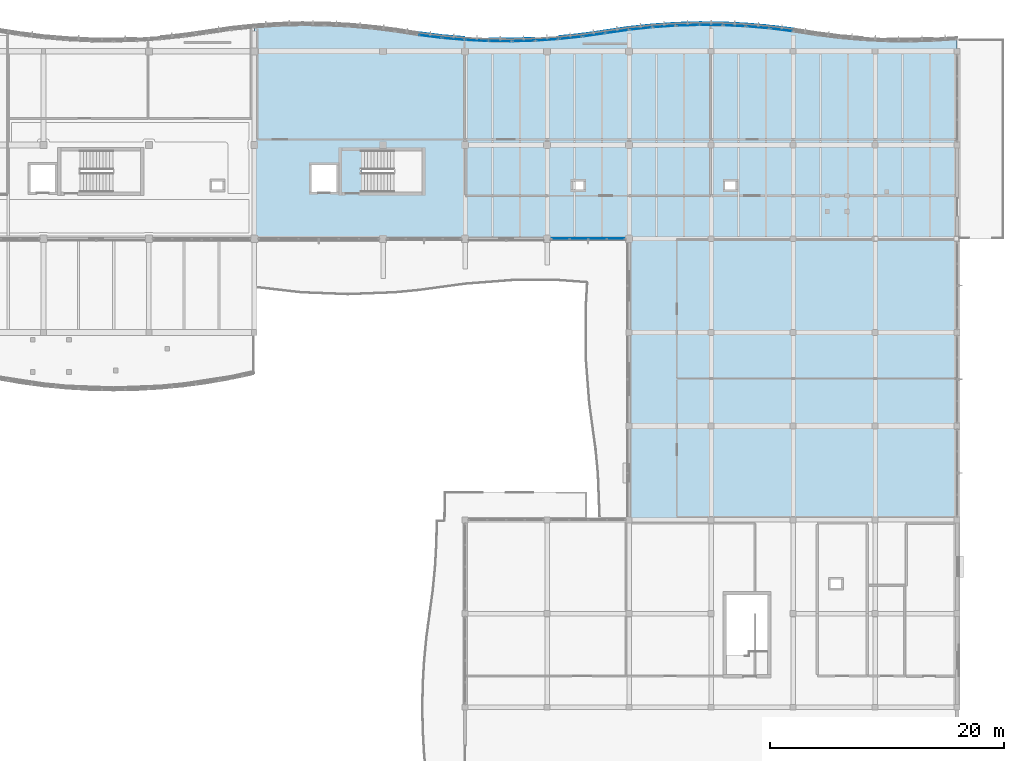
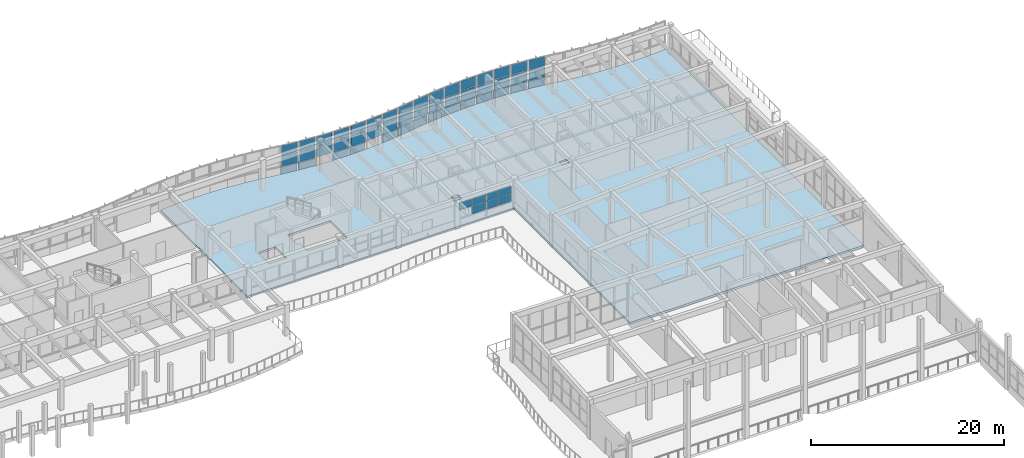
# One storey, part 54 of 89: 53 plates, 1 slab, 17 elements without a shape of their own.
"""IFC4 building model written with IfcOpenShell, lengths in metres."""

import ifcopenshell
import ifcopenshell.guid

model = None  # the IFC model being written
_history = None  # IfcOwnerHistory: only IFC2X3 demands one
_inside = {}  # id of a spatial element -> (the spatial element, [elements in it])
_under = {}  # id of a project, library or spatial element -> (it, [spatial elements below it])
_declared = {}  # id of a project -> (the project, [libraries it declares])
_typed = {}  # id of a type object -> (the type object, [elements of that type])
_made_of = {}  # id of a material, layer set ... -> (it, [elements and type objects made of it])


def new_model(schema):
    """Start an empty IFC model of exactly this schema.

    Asked for "IFC4X3", IfcOpenShell would pick the latest addendum, in which some entities
    have other attributes; the version numbers below select the first issue.
    IFC2X3 requires an IfcOwnerHistory on every rooted entity: one is made here for all.
    """
    global model, _history
    if schema == "IFC4X3":
        model = ifcopenshell.file(schema_version=(4, 3, 0, 0))
    else:
        model = ifcopenshell.file(schema=schema)
    _inside.clear()
    _under.clear()
    _declared.clear()
    _typed.clear()
    _made_of.clear()
    _history = None
    if model.schema == "IFC2X3":
        org = make("IfcOrganization", Name="unknown")
        user = make(
            "IfcPersonAndOrganization",
            ThePerson=make("IfcPerson", FamilyName="unknown"),
            TheOrganization=org,
        )
        app = make(
            "IfcApplication",
            ApplicationDeveloper=org,
            Version="unknown",
            ApplicationFullName="unknown",
            ApplicationIdentifier="unknown",
        )
        _history = make(
            "IfcOwnerHistory",
            OwningUser=user,
            OwningApplication=app,
            ChangeAction="ADDED",
            CreationDate=0,
        )
    return model


def make(cls, **values):
    """One entity of the class cls with the attributes given. An attribute that is None is left unset."""
    return model.create_entity(
        cls, **{name: value for name, value in values.items() if value is not None}
    )


def rooted(cls, **values):
    """An entity with a GlobalId (a new one), such as an element, a storey or a relation."""
    return make(cls, GlobalId=ifcopenshell.guid.new(), OwnerHistory=_history, **values)


def si_unit(unit_type, name, prefix=None):
    """IfcSIUnit, for example si_unit("LENGTHUNIT", "METRE", prefix="MILLI")."""
    return make("IfcSIUnit", UnitType=unit_type, Prefix=prefix, Name=name)


def assignment(units):
    """IfcUnitAssignment: the units of a project."""
    return None if units is None else make("IfcUnitAssignment", Units=units)


def point(xyz):
    """IfcCartesianPoint."""
    return None if xyz is None else make("IfcCartesianPoint", Coordinates=xyz)


def direction(xyz):
    """IfcDirection."""
    return None if xyz is None else make("IfcDirection", DirectionRatios=xyz)


def frame(location, z_axis=None, x_axis=None):
    """IfcAxis2Placement3D, a coordinate frame: its origin and axes. An axis left out is left unset."""
    return make(
        "IfcAxis2Placement3D",
        Location=point(location),
        Axis=direction(z_axis),
        RefDirection=direction(x_axis),
    )


def frame_2d(location, x_axis=None):
    """IfcAxis2Placement2D, a coordinate frame in the plane: its origin and x axis."""
    return make(
        "IfcAxis2Placement2D", Location=point(location), RefDirection=direction(x_axis)
    )


def origin():
    """The frame at (0, 0, 0) with its axes left unset."""
    return frame((0.0, 0.0, 0.0))


def origin_2d():
    """The frame at (0, 0) in the plane with its x axis left unset."""
    return frame_2d((0.0, 0.0))


def place(relative_to, where):
    """IfcLocalPlacement: puts the frame where relative to a parent placement (None: the world)."""
    return make(
        "IfcLocalPlacement", PlacementRelTo=relative_to, RelativePlacement=where
    )


def context(
    kind, dimensions, precision=None, world=None, true_north=None, identifier=None
):
    """IfcGeometricRepresentationContext, for example the 3D "Model" context."""
    return make(
        "IfcGeometricRepresentationContext",
        ContextIdentifier=identifier,
        ContextType=kind,
        CoordinateSpaceDimension=dimensions,
        Precision=precision,
        WorldCoordinateSystem=world,
        TrueNorth=true_north,
    )


def subcontext(parent, identifier, kind, view, scale=None):
    """IfcGeometricRepresentationSubContext, for example "Body" below "Model"."""
    return make(
        "IfcGeometricRepresentationSubContext",
        ContextIdentifier=identifier,
        ContextType=kind,
        ParentContext=parent,
        TargetScale=scale,
        TargetView=view,
    )


def project(units=None, contexts=None):
    """IfcProject with its units and contexts."""
    return rooted(
        "IfcProject",
        Name="project",
        RepresentationContexts=contexts,
        UnitsInContext=assignment(units),
    )


def spatial(cls, under=None, at=None, **own):
    """A site, building, storey or space (cls), placed at a placement, below another one or the project."""
    s = rooted(cls, ObjectPlacement=at, **own)
    if under is not None:
        _under.setdefault(under.id(), (under, []))[1].append(s)
    return s


def polyline(points):
    """IfcPolyline through the points."""
    return make("IfcPolyline", Points=[point(p) for p in points])


def profile(cls, at=None, kind="AREA", **sizes):
    """A parametric profile (cls). Its sizes go by their IFC names, for example OverallWidth=200.0."""
    return make(cls, ProfileType=kind, Position=at, **sizes)


def rectangle(**sizes):
    """IfcRectangleProfileDef."""
    return profile("IfcRectangleProfileDef", **sizes)


def outline(outer, holes=None, kind="AREA"):
    """IfcArbitraryClosedProfileDef: a profile drawn as a closed curve; with holes, ...WithVoids."""
    if holes is None:
        return make("IfcArbitraryClosedProfileDef", ProfileType=kind, OuterCurve=outer)
    return make(
        "IfcArbitraryProfileDefWithVoids",
        ProfileType=kind,
        OuterCurve=outer,
        InnerCurves=holes,
    )


def extrude(swept, where, along, depth):
    """IfcExtrudedAreaSolid: the profile swept, set in the frame where, extruded along a direction by depth."""
    return make(
        "IfcExtrudedAreaSolid",
        SweptArea=swept,
        Position=where,
        ExtrudedDirection=direction(along),
        Depth=depth,
    )


def shape(context_of_items, identifier, shape_type, items):
    """IfcShapeRepresentation: the items that make up one representation, for example the "Body"."""
    return make(
        "IfcShapeRepresentation",
        ContextOfItems=context_of_items,
        RepresentationIdentifier=identifier,
        RepresentationType=shape_type,
        Items=items,
    )


def material(Name=None, Category=None):
    """IfcMaterial."""
    return make("IfcMaterial", Name=Name, Category=Category)


def layer(
    of_material, thickness, ventilated=None, Name=None, Category=None, Priority=None
):
    """IfcMaterialLayer: one layer of a wall or slab, of a material (None: an air gap)."""
    return make(
        "IfcMaterialLayer",
        Material=of_material,
        LayerThickness=thickness,
        IsVentilated=ventilated,
        Name=Name,
        Category=Category,
        Priority=Priority,
    )


def layer_set(layers, Name=None):
    """IfcMaterialLayerSet."""
    return make("IfcMaterialLayerSet", MaterialLayers=layers, LayerSetName=Name)


def made_of(thing, what):
    """Note that an element or type object is made of a material, layer set ...; save() writes the relation."""
    if what is not None:
        _made_of.setdefault(what.id(), (what, []))[1].append(thing)
    return thing


def type_object(cls, material=None, **own):
    """A type object (cls), such as IfcWallType, which elements share."""
    return made_of(rooted(cls, **own), material)


def element(
    cls,
    number,
    at=None,
    inside=None,
    cuts=None,
    type_object=None,
    material=None,
    context=None,
    identifier="Body",
    shape_type=None,
    held_by="IfcProductDefinitionShape",
    body=None,
    shapes=None,
    **own,
):
    """One element of the class cls, such as IfcWall. Its Tag is "e" and its number.

    at: its placement. inside: the storey or other place that contains it. cuts: it is an
    opening in that element (IfcRelVoidsElement). A single representation is given by context,
    identifier, shape_type and body (its items); several are given by shapes. held_by: the class
    of the entity that holds the representations. save() writes the other relations.
    """
    e = rooted(cls, Tag="e%d" % number, ObjectPlacement=at, **own)
    if body is not None:
        shapes = [shape(context, identifier, shape_type, body)]
    if shapes is not None:
        e.Representation = make(held_by, Representations=shapes)
    if inside is not None:
        _inside.setdefault(inside.id(), (inside, []))[1].append(e)
    if cuts is not None:
        rooted(
            "IfcRelVoidsElement", RelatingBuildingElement=cuts, RelatedOpeningElement=e
        )
    if type_object is not None:
        _typed.setdefault(type_object.id(), (type_object, []))[1].append(e)
    return made_of(e, material)


def aggregate(whole, parts):
    """IfcRelAggregates: a whole, such as a stair, and the parts it consists of."""
    return rooted("IfcRelAggregates", RelatingObject=whole, RelatedObjects=parts)


def save(model, path):
    """Write the relations noted so far, then the file.

    IfcRelAggregates (storeys below a building ...), IfcRelContainedInSpatialStructure (elements
    in a storey), IfcRelDefinesByType, IfcRelAssociatesMaterial and IfcRelDeclares: one each for
    every whole, place, type object, material and project.
    """
    for whole, parts in _under.values():
        aggregate(whole, parts)
    for where, things in _inside.values():
        rooted(
            "IfcRelContainedInSpatialStructure",
            RelatedElements=things,
            RelatingStructure=where,
        )
    for kind, things in _typed.values():
        rooted("IfcRelDefinesByType", RelatedObjects=things, RelatingType=kind)
    for what, things in _made_of.values():
        rooted("IfcRelAssociatesMaterial", RelatedObjects=things, RelatingMaterial=what)
    for by, libraries in _declared.values():
        rooted("IfcRelDeclares", RelatingContext=by, RelatedDefinitions=libraries)
    model.write(path)


model = new_model("IFC4")

# Units and contexts
model_context = context("Model", 3, precision=1e-05, world=origin(), true_north=direction((0.0, 1.0)))
body_context = subcontext(model_context, "Body", "Model", "MODEL_VIEW")
ifc_project = project(units=[si_unit("LENGTHUNIT", "METRE"), si_unit("AREAUNIT", "SQUARE_METRE"), si_unit("VOLUMEUNIT", "CUBIC_METRE"), si_unit("PLANEANGLEUNIT", "RADIAN"), si_unit("MASSUNIT", "GRAM", prefix="KILO")], contexts=[model_context])

# Site, building, storey
site_placement = place(None, origin())
site = spatial("IfcSite", under=ifc_project, at=site_placement, CompositionType="ELEMENT")
building_placement = place(site_placement, origin())
building = spatial("IfcBuilding", under=site, at=building_placement, Name="Tonlespit Floodbar School", CompositionType="ELEMENT")
storey_placement = place(building_placement, frame((0.0, 0.0, 4.5)))
storey = spatial("IfcBuildingStorey", under=building, at=storey_placement, Name="L01", CompositionType="ELEMENT", Elevation=4.5)

# Curtain wall, plates
ifc_material_1 = material(Name="Anodised Aluminium", Category="aluminium")
ifc_layer_1 = layer(ifc_material_1, 0.159912109375)
ifc_layer_set_1 = layer_set([ifc_layer_1], Name="Anodised Aluminium")
curtain_wall_type_1 = type_object("IfcCurtainWallType", Name="CurtainWall_1950x2700", PredefinedType="NOTDEFINED", material=ifc_layer_set_1)
curtain_wall_1_placement = place(storey_placement, origin())
curtain_wall_1 = element("IfcCurtainWall", 1, at=curtain_wall_1_placement, inside=storey, type_object=curtain_wall_type_1, Name="L01 unitised curtain wall 0385", PredefinedType="NOTDEFINED")
ifc_material_2 = material(Name="Laminated Low-E Glass", Category="glass")
ifc_layer_2 = layer(ifc_material_2, 0.028076171875)
ifc_layer_set_2 = layer_set([ifc_layer_2], Name="Laminated Low-E Glass")
plate_type_1 = type_object("IfcPlateType", Name="CW_Panel_Glaz_28", PredefinedType="CURTAIN_PANEL", material=ifc_layer_set_2)
plate_1_placement = place(storey_placement, frame((133.0, 121.055419921875, 1.01513671875), z_axis=(0.0, 0.0, 1.0), x_axis=(0.996249148412, -0.086531117454, 0.0)))
plate_1 = element("IfcPlate", 2, at=plate_1_placement, type_object=plate_type_1, Name="CW-04 panel 1.1", PredefinedType="CURTAIN_PANEL", context=body_context, shape_type="SweptSolid", body=[
    extrude(rectangle(XDim=1.797607421875, YDim=0.028076171875, at=origin_2d()), origin(), (0.0, 0.0, 1.0), 1.306396484375),
])
plate_2_placement = place(storey_placement, frame((133.0, 121.055419921875, 2.38671875), z_axis=(0.0, 0.0, 1.0), x_axis=(0.996249148412, -0.086531117454, 0.0)))
plate_2 = element("IfcPlate", 3, at=plate_2_placement, type_object=plate_type_1, Name="CW-04 panel 1.2", PredefinedType="CURTAIN_PANEL", context=body_context, shape_type="SweptSolid", body=[
    extrude(rectangle(XDim=1.797607421875, YDim=0.028076171875, at=origin_2d()), origin(), (0.0, 0.0, 1.0), 1.198486328125),
])
aggregate(curtain_wall_1, [plate_1, plate_2])

ifc_layer_3 = layer(ifc_material_1, 0.159912109375)
ifc_layer_set_3 = layer_set([ifc_layer_3], Name="Anodised Aluminium")
curtain_wall_type_2 = type_object("IfcCurtainWallType", Name="CurtainWall_1900x2700", PredefinedType="NOTDEFINED", material=ifc_layer_set_3)
curtain_wall_2_placement = place(storey_placement, origin())
curtain_wall_2 = element("IfcCurtainWall", 4, at=curtain_wall_2_placement, inside=storey, type_object=curtain_wall_type_2, Name="L01 unitised curtain wall 0389", PredefinedType="NOTDEFINED")
plate_3_placement = place(storey_placement, frame((141.0, 120.978271484375, 1.01513671875), z_axis=(0.0, 0.0, 1.0), x_axis=(0.99773010165, 0.067339767311, 0.0)))
plate_3 = element("IfcPlate", 5, at=plate_3_placement, type_object=plate_type_1, Name="CW-05 panel 1.1", PredefinedType="CURTAIN_PANEL", context=body_context, shape_type="SweptSolid", body=[
    extrude(rectangle(XDim=1.794677734375, YDim=0.028076171875, at=origin_2d()), origin(), (0.0, 0.0, 1.0), 1.306396484375),
])
plate_4_placement = place(storey_placement, frame((141.0, 120.978271484375, 2.38671875), z_axis=(0.0, 0.0, 1.0), x_axis=(0.99773010165, 0.067339767311, 0.0)))
plate_4 = element("IfcPlate", 6, at=plate_4_placement, type_object=plate_type_1, Name="CW-05 panel 1.2", PredefinedType="CURTAIN_PANEL", context=body_context, shape_type="SweptSolid", body=[
    extrude(rectangle(XDim=1.794677734375, YDim=0.028076171875, at=origin_2d()), origin(), (0.0, 0.0, 1.0), 1.198486328125),
])
aggregate(curtain_wall_2, [plate_3, plate_4])

curtain_wall_3_placement = place(storey_placement, origin())
curtain_wall_3 = element("IfcCurtainWall", 7, at=curtain_wall_3_placement, inside=storey, type_object=curtain_wall_type_1, Name="L01 unitised curtain wall 0393", PredefinedType="NOTDEFINED")
plate_5_placement = place(storey_placement, frame((149.0, 121.947998046875, 1.01513671875), z_axis=(0.0, 0.0, 1.0), x_axis=(0.994388797288, 0.105787143968, 0.0)))
plate_5 = element("IfcPlate", 8, at=plate_5_placement, type_object=plate_type_1, Name="CW-04 panel 1.1", PredefinedType="CURTAIN_PANEL", context=body_context, shape_type="SweptSolid", body=[
    extrude(rectangle(XDim=1.80126953125, YDim=0.028076171875, at=origin_2d()), origin(), (0.0, 0.0, 1.0), 1.306396484375),
])
plate_6_placement = place(storey_placement, frame((149.0, 121.947998046875, 2.38671875), z_axis=(0.0, 0.0, 1.0), x_axis=(0.994388797288, 0.105787143968, 0.0)))
plate_6 = element("IfcPlate", 9, at=plate_6_placement, type_object=plate_type_1, Name="CW-04 panel 1.2", PredefinedType="CURTAIN_PANEL", context=body_context, shape_type="SweptSolid", body=[
    extrude(rectangle(XDim=1.80126953125, YDim=0.028076171875, at=origin_2d()), origin(), (0.0, 0.0, 1.0), 1.198486328125),
])
aggregate(curtain_wall_3, [plate_5, plate_6])

curtain_wall_4_placement = place(storey_placement, origin())
curtain_wall_4 = element("IfcCurtainWall", 10, at=curtain_wall_4_placement, inside=storey, type_object=curtain_wall_type_2, Name="L01 unitised curtain wall 0397", PredefinedType="NOTDEFINED")
plate_7_placement = place(storey_placement, frame((157.0, 122.1796875, 1.01513671875), z_axis=(0.0, 0.0, 1.0), x_axis=(0.998841500616, -0.048121270216, 0.0)))
plate_7 = element("IfcPlate", 11, at=plate_7_placement, type_object=plate_type_1, Name="CW-05 panel 1.1", PredefinedType="CURTAIN_PANEL", context=body_context, shape_type="SweptSolid", body=[
    extrude(rectangle(XDim=1.792236328125, YDim=0.028076171875, at=origin_2d()), origin(), (0.0, 0.0, 1.0), 1.306396484375),
])
plate_8_placement = place(storey_placement, frame((157.0, 122.1796875, 2.38671875), z_axis=(0.0, 0.0, 1.0), x_axis=(0.998841500616, -0.048121270216, 0.0)))
plate_8 = element("IfcPlate", 12, at=plate_8_placement, type_object=plate_type_1, Name="CW-05 panel 1.2", PredefinedType="CURTAIN_PANEL", context=body_context, shape_type="SweptSolid", body=[
    extrude(rectangle(XDim=1.792236328125, YDim=0.028076171875, at=origin_2d()), origin(), (0.0, 0.0, 1.0), 1.198486328125),
])
aggregate(curtain_wall_4, [plate_7, plate_8])

curtain_wall_5_placement = place(storey_placement, origin())
curtain_wall_5 = element("IfcCurtainWall", 13, at=curtain_wall_5_placement, inside=storey, type_object=curtain_wall_type_2, Name="L01 unitised curtain wall 0386", PredefinedType="NOTDEFINED")
ifc_layer_4 = layer(ifc_material_2, 0.031982421875)
ifc_layer_set_4 = layer_set([ifc_layer_4], Name="Laminated Low-E Glass")
plate_type_2 = type_object("IfcPlateType", Name="CW_Panel_Glaz_32", PredefinedType="CURTAIN_PANEL", material=ifc_layer_set_4)
plate_9_placement = place(storey_placement, frame((135.0, 120.92041015625, 1.01513671875), z_axis=(0.0, 0.0, 1.0), x_axis=(0.998841500616, -0.048121270216, 0.0)))
plate_9 = element("IfcPlate", 14, at=plate_9_placement, type_object=plate_type_2, Name="CW-05 panel 1.1", PredefinedType="CURTAIN_PANEL", context=body_context, shape_type="SweptSolid", body=[
    extrude(rectangle(XDim=1.792236328125, YDim=0.031982421875, at=origin_2d()), origin(), (0.0, 0.0, 1.0), 1.306396484375),
])
plate_10_placement = place(storey_placement, frame((135.0, 120.92041015625, 2.38671875), z_axis=(0.0, 0.0, 1.0), x_axis=(0.998841500616, -0.048121270216, 0.0)))
plate_10 = element("IfcPlate", 15, at=plate_10_placement, type_object=plate_type_2, Name="CW-05 panel 1.2", PredefinedType="CURTAIN_PANEL", context=body_context, shape_type="SweptSolid", body=[
    extrude(rectangle(XDim=1.792236328125, YDim=0.031982421875, at=origin_2d()), origin(), (0.0, 0.0, 1.0), 1.198486328125),
])
aggregate(curtain_wall_5, [plate_9, plate_10])

curtain_wall_6_placement = place(storey_placement, origin())
curtain_wall_6 = element("IfcCurtainWall", 16, at=curtain_wall_6_placement, inside=storey, type_object=curtain_wall_type_1, Name="L01 unitised curtain wall 0390", PredefinedType="NOTDEFINED")
plate_11_placement = place(storey_placement, frame((143.0, 121.152099609375, 1.01513671875), z_axis=(0.0, 0.0, 1.0), x_axis=(0.994388797288, 0.105787143968, 0.0)))
plate_11 = element("IfcPlate", 17, at=plate_11_placement, type_object=plate_type_2, Name="CW-04 panel 1.1", PredefinedType="CURTAIN_PANEL", context=body_context, shape_type="SweptSolid", body=[
    extrude(rectangle(XDim=1.80126953125, YDim=0.031982421875, at=origin_2d()), origin(), (0.0, 0.0, 1.0), 1.306396484375),
])
plate_12_placement = place(storey_placement, frame((143.0, 121.152099609375, 2.38671875), z_axis=(0.0, 0.0, 1.0), x_axis=(0.994388797288, 0.105787143968, 0.0)))
plate_12 = element("IfcPlate", 18, at=plate_12_placement, type_object=plate_type_2, Name="CW-04 panel 1.2", PredefinedType="CURTAIN_PANEL", context=body_context, shape_type="SweptSolid", body=[
    extrude(rectangle(XDim=1.80126953125, YDim=0.031982421875, at=origin_2d()), origin(), (0.0, 0.0, 1.0), 1.198486328125),
])
aggregate(curtain_wall_6, [plate_11, plate_12])

curtain_wall_7_placement = place(storey_placement, origin())
curtain_wall_7 = element("IfcCurtainWall", 19, at=curtain_wall_7_placement, inside=storey, type_object=curtain_wall_type_2, Name="L01 unitised curtain wall 0394", PredefinedType="NOTDEFINED")
plate_13_placement = place(storey_placement, frame((151.0, 122.121826171875, 1.01513671875), z_axis=(0.0, 0.0, 1.0), x_axis=(0.99773010165, 0.067339767311, 0.0)))
plate_13 = element("IfcPlate", 20, at=plate_13_placement, type_object=plate_type_2, Name="CW-05 panel 1.1", PredefinedType="CURTAIN_PANEL", context=body_context, shape_type="SweptSolid", body=[
    extrude(rectangle(XDim=1.794677734375, YDim=0.031982421875, at=origin_2d()), origin(), (0.0, 0.0, 1.0), 1.306396484375),
])
plate_14_placement = place(storey_placement, frame((151.0, 122.121826171875, 2.38671875), z_axis=(0.0, 0.0, 1.0), x_axis=(0.99773010165, 0.067339767311, 0.0)))
plate_14 = element("IfcPlate", 21, at=plate_14_placement, type_object=plate_type_2, Name="CW-05 panel 1.2", PredefinedType="CURTAIN_PANEL", context=body_context, shape_type="SweptSolid", body=[
    extrude(rectangle(XDim=1.794677734375, YDim=0.031982421875, at=origin_2d()), origin(), (0.0, 0.0, 1.0), 1.198486328125),
])
aggregate(curtain_wall_7, [plate_13, plate_14])

curtain_wall_8_placement = place(storey_placement, origin())
curtain_wall_8 = element("IfcCurtainWall", 22, at=curtain_wall_8_placement, inside=storey, type_object=curtain_wall_type_1, Name="L01 unitised curtain wall 0398", PredefinedType="NOTDEFINED")
plate_15_placement = place(storey_placement, frame((159.0, 122.044677734375, 1.01513671875), z_axis=(0.0, 0.0, 1.0), x_axis=(0.996249148412, -0.086531117454, 0.0)))
plate_15 = element("IfcPlate", 23, at=plate_15_placement, type_object=plate_type_2, Name="CW-04 panel 1.1", PredefinedType="CURTAIN_PANEL", context=body_context, shape_type="SweptSolid", body=[
    extrude(rectangle(XDim=1.797607421875, YDim=0.031982421875, at=origin_2d()), origin(), (0.0, 0.0, 1.0), 1.306396484375),
])
plate_16_placement = place(storey_placement, frame((159.0, 122.044677734375, 2.38671875), z_axis=(0.0, 0.0, 1.0), x_axis=(0.996249148412, -0.086531117454, 0.0)))
plate_16 = element("IfcPlate", 24, at=plate_16_placement, type_object=plate_type_2, Name="CW-04 panel 1.2", PredefinedType="CURTAIN_PANEL", context=body_context, shape_type="SweptSolid", body=[
    extrude(rectangle(XDim=1.797607421875, YDim=0.031982421875, at=origin_2d()), origin(), (0.0, 0.0, 1.0), 1.198486328125),
])
aggregate(curtain_wall_8, [plate_15, plate_16])

curtain_wall_9_placement = place(storey_placement, origin())
curtain_wall_9 = element("IfcCurtainWall", 25, at=curtain_wall_9_placement, inside=storey, type_object=curtain_wall_type_2, Name="L01 unitised curtain wall 0387", PredefinedType="NOTDEFINED")
ifc_layer_5 = layer(ifc_material_2, 0.035888671875)
ifc_layer_set_5 = layer_set([ifc_layer_5], Name="Laminated Low-E Glass")
plate_type_3 = type_object("IfcPlateType", Name="CW_Panel_Glaz_36", PredefinedType="CURTAIN_PANEL", material=ifc_layer_set_5)
plate_17_placement = place(storey_placement, frame((137.0, 120.862548828125, 1.01513671875), z_axis=(0.0, 0.0, 1.0), x_axis=(0.999954083024, -0.009582893292, 0.0)))
plate_17 = element("IfcPlate", 26, at=plate_17_placement, type_object=plate_type_3, Name="CW-05 panel 1.1", PredefinedType="CURTAIN_PANEL", context=body_context, shape_type="SweptSolid", body=[
    extrude(rectangle(XDim=1.7900390625, YDim=0.035888671875, at=origin_2d()), origin(), (0.0, 0.0, 1.0), 1.306396484375),
])
plate_18_placement = place(storey_placement, frame((137.0, 120.862548828125, 2.38671875), z_axis=(0.0, 0.0, 1.0), x_axis=(0.999954083024, -0.009582893292, 0.0)))
plate_18 = element("IfcPlate", 27, at=plate_18_placement, type_object=plate_type_3, Name="CW-05 panel 1.2", PredefinedType="CURTAIN_PANEL", context=body_context, shape_type="SweptSolid", body=[
    extrude(rectangle(XDim=1.7900390625, YDim=0.035888671875, at=origin_2d()), origin(), (0.0, 0.0, 1.0), 1.198486328125),
])
aggregate(curtain_wall_9, [plate_17, plate_18])

curtain_wall_10_placement = place(storey_placement, origin())
curtain_wall_10 = element("IfcCurtainWall", 28, at=curtain_wall_10_placement, inside=storey, type_object=curtain_wall_type_1, Name="L01 unitised curtain wall 0391", PredefinedType="NOTDEFINED")
plate_19_placement = place(storey_placement, frame((145.0, 121.404296875, 1.01513671875), z_axis=(0.0, 0.0, 1.0), x_axis=(0.989541561858, 0.144248041079, 0.0)))
plate_19 = element("IfcPlate", 29, at=plate_19_placement, type_object=plate_type_3, Name="CW-04 panel 1.1", PredefinedType="CURTAIN_PANEL", context=body_context, shape_type="SweptSolid", body=[
    extrude(rectangle(XDim=1.81103515625, YDim=0.035888671875, at=origin_2d()), origin(), (0.0, 0.0, 1.0), 1.306396484375),
])
plate_20_placement = place(storey_placement, frame((145.0, 121.404296875, 2.38671875), z_axis=(0.0, 0.0, 1.0), x_axis=(0.989541561858, 0.144248041079, 0.0)))
plate_20 = element("IfcPlate", 30, at=plate_20_placement, type_object=plate_type_3, Name="CW-04 panel 1.2", PredefinedType="CURTAIN_PANEL", context=body_context, shape_type="SweptSolid", body=[
    extrude(rectangle(XDim=1.81103515625, YDim=0.035888671875, at=origin_2d()), origin(), (0.0, 0.0, 1.0), 1.198486328125),
])
aggregate(curtain_wall_10, [plate_19, plate_20])

curtain_wall_11_placement = place(storey_placement, origin())
curtain_wall_11 = element("IfcCurtainWall", 31, at=curtain_wall_11_placement, inside=storey, type_object=curtain_wall_type_2, Name="L01 unitised curtain wall 0395", PredefinedType="NOTDEFINED")
plate_21_placement = place(storey_placement, frame((153.0, 122.21826171875, 1.01513671875), z_axis=(0.0, 0.0, 1.0), x_axis=(0.999585477883, 0.028790144226, 0.0)))
plate_21 = element("IfcPlate", 32, at=plate_21_placement, type_object=plate_type_3, Name="CW-05 panel 1.1", PredefinedType="CURTAIN_PANEL", context=body_context, shape_type="SweptSolid", body=[
    extrude(rectangle(XDim=1.790771484375, YDim=0.035888671875, at=origin_2d()), origin(), (0.0, 0.0, 1.0), 1.306396484375),
])
plate_22_placement = place(storey_placement, frame((153.0, 122.21826171875, 2.38671875), z_axis=(0.0, 0.0, 1.0), x_axis=(0.999585477883, 0.028790144226, 0.0)))
plate_22 = element("IfcPlate", 33, at=plate_22_placement, type_object=plate_type_3, Name="CW-05 panel 1.2", PredefinedType="CURTAIN_PANEL", context=body_context, shape_type="SweptSolid", body=[
    extrude(rectangle(XDim=1.790771484375, YDim=0.035888671875, at=origin_2d()), origin(), (0.0, 0.0, 1.0), 1.198486328125),
])
aggregate(curtain_wall_11, [plate_21, plate_22])

curtain_wall_12_placement = place(storey_placement, origin())
curtain_wall_12 = element("IfcCurtainWall", 34, at=curtain_wall_12_placement, inside=storey, type_object=curtain_wall_type_1, Name="L01 unitised curtain wall 0399", PredefinedType="NOTDEFINED")
plate_23_placement = place(storey_placement, frame((161.0, 121.831787109375, 1.01513671875), z_axis=(0.0, 0.0, 1.0), x_axis=(0.992155002499, -0.125013803299, 0.0)))
plate_23 = element("IfcPlate", 35, at=plate_23_placement, type_object=plate_type_3, Name="CW-04 panel 1.1", PredefinedType="CURTAIN_PANEL", context=body_context, shape_type="SweptSolid", body=[
    extrude(rectangle(XDim=1.805908203125, YDim=0.035888671875, at=origin_2d()), origin(), (0.0, 0.0, 1.0), 1.306396484375),
])
plate_24_placement = place(storey_placement, frame((161.0, 121.831787109375, 2.38671875), z_axis=(0.0, 0.0, 1.0), x_axis=(0.992155002499, -0.125013803299, 0.0)))
plate_24 = element("IfcPlate", 36, at=plate_24_placement, type_object=plate_type_3, Name="CW-04 panel 1.2", PredefinedType="CURTAIN_PANEL", context=body_context, shape_type="SweptSolid", body=[
    extrude(rectangle(XDim=1.805908203125, YDim=0.035888671875, at=origin_2d()), origin(), (0.0, 0.0, 1.0), 1.198486328125),
])
aggregate(curtain_wall_12, [plate_23, plate_24])

curtain_wall_13_placement = place(storey_placement, origin())
curtain_wall_13 = element("IfcCurtainWall", 37, at=curtain_wall_13_placement, inside=storey, type_object=curtain_wall_type_1, Name="L01 unitised curtain wall 0384", PredefinedType="NOTDEFINED")
ifc_layer_6 = layer(ifc_material_2, 0.0419921875)
ifc_layer_set_6 = layer_set([ifc_layer_6], Name="Laminated Low-E Glass")
plate_type_4 = type_object("IfcPlateType", Name="CW_Panel_Glaz_42", PredefinedType="CURTAIN_PANEL", material=ifc_layer_set_6)
plate_25_placement = place(storey_placement, frame((131.0, 121.268310546875, 1.01513671875), z_axis=(0.0, 0.0, 1.0), x_axis=(0.992155002499, -0.125013803299, 0.0)))
plate_25 = element("IfcPlate", 38, at=plate_25_placement, type_object=plate_type_4, Name="CW-04 panel 1.1", PredefinedType="CURTAIN_PANEL", context=body_context, shape_type="SweptSolid", body=[
    extrude(rectangle(XDim=1.805908203125, YDim=0.0419921875, at=origin_2d()), origin(), (0.0, 0.0, 1.0), 1.306396484375),
])
plate_26_placement = place(storey_placement, frame((131.0, 121.268310546875, 2.38671875), z_axis=(0.0, 0.0, 1.0), x_axis=(0.992155002499, -0.125013803299, 0.0)))
plate_26 = element("IfcPlate", 39, at=plate_26_placement, type_object=plate_type_4, Name="CW-04 panel 1.2", PredefinedType="CURTAIN_PANEL", context=body_context, shape_type="SweptSolid", body=[
    extrude(rectangle(XDim=1.805908203125, YDim=0.0419921875, at=origin_2d()), origin(), (0.0, 0.0, 1.0), 1.198486328125),
])
aggregate(curtain_wall_13, [plate_25, plate_26])

curtain_wall_14_placement = place(storey_placement, origin())
curtain_wall_14 = element("IfcCurtainWall", 40, at=curtain_wall_14_placement, inside=storey, type_object=curtain_wall_type_2, Name="L01 unitised curtain wall 0388", PredefinedType="NOTDEFINED")
plate_27_placement = place(storey_placement, frame((139.0, 120.8818359375, 1.01513671875), z_axis=(0.0, 0.0, 1.0), x_axis=(0.999585477883, 0.028790144226, 0.0)))
plate_27 = element("IfcPlate", 41, at=plate_27_placement, type_object=plate_type_4, Name="CW-05 panel 1.1", PredefinedType="CURTAIN_PANEL", context=body_context, shape_type="SweptSolid", body=[
    extrude(rectangle(XDim=1.790771484375, YDim=0.0419921875, at=origin_2d()), origin(), (0.0, 0.0, 1.0), 1.306396484375),
])
plate_28_placement = place(storey_placement, frame((139.0, 120.8818359375, 2.38671875), z_axis=(0.0, 0.0, 1.0), x_axis=(0.999585477883, 0.028790144226, 0.0)))
plate_28 = element("IfcPlate", 42, at=plate_28_placement, type_object=plate_type_4, Name="CW-05 panel 1.2", PredefinedType="CURTAIN_PANEL", context=body_context, shape_type="SweptSolid", body=[
    extrude(rectangle(XDim=1.790771484375, YDim=0.0419921875, at=origin_2d()), origin(), (0.0, 0.0, 1.0), 1.198486328125),
])
aggregate(curtain_wall_14, [plate_27, plate_28])

curtain_wall_15_placement = place(storey_placement, origin())
curtain_wall_15 = element("IfcCurtainWall", 43, at=curtain_wall_15_placement, inside=storey, type_object=curtain_wall_type_1, Name="L01 unitised curtain wall 0392", PredefinedType="NOTDEFINED")
plate_29_placement = place(storey_placement, frame((147.0, 121.69580078125, 1.01513671875), z_axis=(0.0, 0.0, 1.0), x_axis=(0.989541561858, 0.144248041079, 0.0)))
plate_29 = element("IfcPlate", 44, at=plate_29_placement, type_object=plate_type_4, Name="CW-04 panel 1.1", PredefinedType="CURTAIN_PANEL", context=body_context, shape_type="SweptSolid", body=[
    extrude(rectangle(XDim=1.81103515625, YDim=0.0419921875, at=origin_2d()), origin(), (0.0, 0.0, 1.0), 1.306396484375),
])
plate_30_placement = place(storey_placement, frame((147.0, 121.69580078125, 2.38671875), z_axis=(0.0, 0.0, 1.0), x_axis=(0.989541561858, 0.144248041079, 0.0)))
plate_30 = element("IfcPlate", 45, at=plate_30_placement, type_object=plate_type_4, Name="CW-04 panel 1.2", PredefinedType="CURTAIN_PANEL", context=body_context, shape_type="SweptSolid", body=[
    extrude(rectangle(XDim=1.81103515625, YDim=0.0419921875, at=origin_2d()), origin(), (0.0, 0.0, 1.0), 1.198486328125),
])
aggregate(curtain_wall_15, [plate_29, plate_30])

curtain_wall_16_placement = place(storey_placement, origin())
curtain_wall_16 = element("IfcCurtainWall", 46, at=curtain_wall_16_placement, inside=storey, type_object=curtain_wall_type_2, Name="L01 unitised curtain wall 0396", PredefinedType="NOTDEFINED")
plate_31_placement = place(storey_placement, frame((155.0, 122.2373046875, 1.01513671875), z_axis=(0.0, 0.0, 1.0), x_axis=(0.999954083024, -0.009582893292, 0.0)))
plate_31 = element("IfcPlate", 47, at=plate_31_placement, type_object=plate_type_4, Name="CW-05 panel 1.1", PredefinedType="CURTAIN_PANEL", context=body_context, shape_type="SweptSolid", body=[
    extrude(rectangle(XDim=1.7900390625, YDim=0.0419921875, at=origin_2d()), origin(), (0.0, 0.0, 1.0), 1.306396484375),
])
plate_32_placement = place(storey_placement, frame((155.0, 122.2373046875, 2.38671875), z_axis=(0.0, 0.0, 1.0), x_axis=(0.999954083024, -0.009582893292, 0.0)))
plate_32 = element("IfcPlate", 48, at=plate_32_placement, type_object=plate_type_4, Name="CW-05 panel 1.2", PredefinedType="CURTAIN_PANEL", context=body_context, shape_type="SweptSolid", body=[
    extrude(rectangle(XDim=1.7900390625, YDim=0.0419921875, at=origin_2d()), origin(), (0.0, 0.0, 1.0), 1.198486328125),
])
aggregate(curtain_wall_16, [plate_31, plate_32])

ifc_layer_7 = layer(ifc_material_1, 0.159912109375)
ifc_layer_set_7 = layer_set([ifc_layer_7], Name="Anodised Aluminium")
curtain_wall_type_3 = type_object("IfcCurtainWallType", Name="CurtainWall_6300x2050", PredefinedType="NOTDEFINED", material=ifc_layer_set_7)
curtain_wall_17_placement = place(storey_placement, origin())
curtain_wall_17 = element("IfcCurtainWall", 49, at=curtain_wall_17_placement, inside=storey, type_object=curtain_wall_type_3, Name="L01 unitised curtain wall 0408", PredefinedType="NOTDEFINED")
plate_33_placement = place(storey_placement, frame((146.853759765625, 104.0, 1.01513671875), z_axis=(0.0, 0.0, 1.0), x_axis=(-1.0, 0.0, 0.0)))
plate_33 = element("IfcPlate", 50, at=plate_33_placement, type_object=plate_type_4, Name="CW-61 panel 1.1", PredefinedType="CURTAIN_PANEL", context=body_context, shape_type="SweptSolid", body=[
    extrude(rectangle(XDim=1.482421875, YDim=0.0419921875, at=origin_2d()), origin(), (0.0, 0.0, 1.0), 0.9658203125),
])
plate_34_placement = place(storey_placement, frame((146.853759765625, 104.0, 2.0458984375), z_axis=(0.0, 0.0, 1.0), x_axis=(-1.0, 0.0, 0.0)))
plate_34 = element("IfcPlate", 51, at=plate_34_placement, type_object=plate_type_4, Name="CW-61 panel 1.2", PredefinedType="CURTAIN_PANEL", context=body_context, shape_type="SweptSolid", body=[
    extrude(rectangle(XDim=1.482421875, YDim=0.0419921875, at=origin_2d()), origin(), (0.0, 0.0, 1.0), 0.884033203125),
])
plate_35_placement = place(storey_placement, frame((145.2900390625, 104.0, 1.01513671875), z_axis=(0.0, 0.0, 1.0), x_axis=(-1.0, 0.0, 0.0)))
plate_35 = element("IfcPlate", 52, at=plate_35_placement, type_object=plate_type_4, Name="CW-61 panel 2.1", PredefinedType="CURTAIN_PANEL", context=body_context, shape_type="SweptSolid", body=[
    extrude(rectangle(XDim=1.514892578125, YDim=0.0419921875, at=origin_2d()), origin(), (0.0, 0.0, 1.0), 0.9658203125),
])
plate_36_placement = place(storey_placement, frame((145.2900390625, 104.0, 2.0458984375), z_axis=(0.0, 0.0, 1.0), x_axis=(-1.0, 0.0, 0.0)))
plate_36 = element("IfcPlate", 53, at=plate_36_placement, type_object=plate_type_4, Name="CW-61 panel 2.2", PredefinedType="CURTAIN_PANEL", context=body_context, shape_type="SweptSolid", body=[
    extrude(rectangle(XDim=1.514892578125, YDim=0.0419921875, at=origin_2d()), origin(), (0.0, 0.0, 1.0), 0.884033203125),
])
plate_37_placement = place(storey_placement, frame((143.7099609375, 104.0, 1.01513671875), z_axis=(0.0, 0.0, 1.0), x_axis=(-1.0, 0.0, 0.0)))
plate_37 = element("IfcPlate", 54, at=plate_37_placement, type_object=plate_type_4, Name="CW-61 panel 3.1", PredefinedType="CURTAIN_PANEL", context=body_context, shape_type="SweptSolid", body=[
    extrude(rectangle(XDim=1.514892578125, YDim=0.0419921875, at=origin_2d()), origin(), (0.0, 0.0, 1.0), 0.9658203125),
])
plate_38_placement = place(storey_placement, frame((143.7099609375, 104.0, 2.0458984375), z_axis=(0.0, 0.0, 1.0), x_axis=(-1.0, 0.0, 0.0)))
plate_38 = element("IfcPlate", 55, at=plate_38_placement, type_object=plate_type_4, Name="CW-61 panel 3.2", PredefinedType="CURTAIN_PANEL", context=body_context, shape_type="SweptSolid", body=[
    extrude(rectangle(XDim=1.514892578125, YDim=0.0419921875, at=origin_2d()), origin(), (0.0, 0.0, 1.0), 0.884033203125),
])
plate_39_placement = place(storey_placement, frame((142.146240234375, 104.0, 2.0458984375), z_axis=(0.0, 0.0, 1.0), x_axis=(-1.0, 0.0, 0.0)))
plate_39 = element("IfcPlate", 56, at=plate_39_placement, type_object=plate_type_4, Name="CW-61 panel 4.2", PredefinedType="CURTAIN_PANEL", context=body_context, shape_type="SweptSolid", body=[
    extrude(rectangle(XDim=1.482421875, YDim=0.0419921875, at=origin_2d()), origin(), (0.0, 0.0, 1.0), 0.884033203125),
])
aggregate(curtain_wall_17, [plate_33, plate_34, plate_35, plate_36, plate_37, plate_38, plate_39])

# Plates
ifc_material_3 = material(Name="White Architectural Aluminium", Category="aluminium")
ifc_layer_8 = layer(ifc_material_3, 0.06494140625)
ifc_layer_set_8 = layer_set([ifc_layer_8], Name="White Architectural Aluminium")
plate_type_5 = type_object("IfcPlateType", Name="FacadeRibbon_White_65", PredefinedType="SHEET", material=ifc_layer_set_8)
plate_40_placement = place(storey_placement, frame((131.022705078125, 121.448974609375, -0.1201171875), z_axis=(0.0, 0.0, 1.0), x_axis=(0.99215533612, -0.125011155539, 0.0)))
element("IfcPlate", 57, at=plate_40_placement, inside=storey, type_object=plate_type_5, Name="L01 flowing white street spandrel ribbon 0634", PredefinedType="SHEET", context=body_context, shape_type="SweptSolid", body=[
    extrude(rectangle(XDim=1.855712890625, YDim=0.06494140625, at=origin_2d()), origin(), (0.0, 0.0, 1.0), 1.070068359375),
])
plate_41_placement = place(storey_placement, frame((133.015869140625, 121.23681640625, -0.1201171875), z_axis=(0.0, 0.0, 1.0), x_axis=(0.996245486492, -0.086573267488, 0.0)))
element("IfcPlate", 58, at=plate_41_placement, inside=storey, type_object=plate_type_5, Name="L01 flowing white street spandrel ribbon 0635", PredefinedType="SHEET", context=body_context, shape_type="SweptSolid", body=[
    extrude(rectangle(XDim=1.847412109375, YDim=0.06494140625, at=origin_2d()), origin(), (0.0, 0.0, 1.0), 1.070068359375),
])
plate_42_placement = place(storey_placement, frame((137.001708984375, 121.044677734375, -0.1201171875), z_axis=(0.0, 0.0, 1.0), x_axis=(0.999953926969, -0.009599163462, 0.0)))
element("IfcPlate", 59, at=plate_42_placement, inside=storey, type_object=plate_type_5, Name="L01 flowing white street spandrel ribbon 0637", PredefinedType="SHEET", context=body_context, shape_type="SweptSolid", body=[
    extrude(rectangle(XDim=1.840087890625, YDim=0.06494140625, at=origin_2d()), origin(), (0.0, 0.0, 1.0), 1.070068359375),
])
plate_43_placement = place(storey_placement, frame((138.994873046875, 121.063720703125, -0.1201171875), z_axis=(0.0, 0.0, 1.0), x_axis=(0.999584110869, 0.02883756748, 0.0)))
element("IfcPlate", 60, at=plate_43_placement, inside=storey, type_object=plate_type_5, Name="L01 flowing white street spandrel ribbon 0638", PredefinedType="SHEET", context=body_context, shape_type="SweptSolid", body=[
    extrude(rectangle(XDim=1.8408203125, YDim=0.06494140625, at=origin_2d()), origin(), (0.0, 0.0, 1.0), 1.070068359375),
])
plate_44_placement = place(storey_placement, frame((142.980712890625, 121.3330078125, -0.1201171875), z_axis=(0.0, 0.0, 1.0), x_axis=(0.99439234017, 0.105753835922, 0.0)))
element("IfcPlate", 61, at=plate_44_placement, inside=storey, type_object=plate_type_5, Name="L01 flowing white street spandrel ribbon 0640", PredefinedType="SHEET", context=body_context, shape_type="SweptSolid", body=[
    extrude(rectangle(XDim=1.851318359375, YDim=0.06494140625, at=origin_2d()), origin(), (0.0, 0.0, 1.0), 1.070068359375),
])
for number, where, z_axis, x_axis, name in (
    (62, (144.9736328125, 121.584228515625, -0.1201171875), (0.0, 0.0, 1.0), (0.989537627347, 0.144275029245, 0.0), "L01 flowing white street spandrel ribbon 0641"),
    (63, (146.9736328125, 121.8759765625, -0.1201171875), (0.0, 0.0, 1.0), (0.989537627347, 0.144275029245, 0.0), "L01 flowing white street spandrel ribbon 0642"),
):
    element("IfcPlate", number, at=place(storey_placement, frame(where, z_axis=z_axis, x_axis=x_axis)), inside=storey, type_object=plate_type_5, Name=name, PredefinedType="SHEET", context=body_context, shape_type="SweptSolid", body=[
        extrude(rectangle(XDim=1.861083984375, YDim=0.06494140625, at=origin_2d()), origin(), (0.0, 0.0, 1.0), 1.070068359375),
    ])
plate_45_placement = place(storey_placement, frame((148.980712890625, 122.12890625, -0.1201171875), z_axis=(0.0, 0.0, 1.0), x_axis=(0.99439234017, 0.105753835922, 0.0)))
element("IfcPlate", 64, at=plate_45_placement, inside=storey, type_object=plate_type_5, Name="L01 flowing white street spandrel ribbon 0643", PredefinedType="SHEET", context=body_context, shape_type="SweptSolid", body=[
    extrude(rectangle(XDim=1.851318359375, YDim=0.06494140625, at=origin_2d()), origin(), (0.0, 0.0, 1.0), 1.070068359375),
])
plate_46_placement = place(storey_placement, frame((150.98779296875, 122.303466796875, -0.1201171875), z_axis=(0.0, 0.0, 1.0), x_axis=(0.997729639049, 0.067346621018, 0.0)))
element("IfcPlate", 65, at=plate_46_placement, inside=storey, type_object=plate_type_5, Name="L01 flowing white street spandrel ribbon 0644", PredefinedType="SHEET", context=body_context, shape_type="SweptSolid", body=[
    extrude(rectangle(XDim=1.844482421875, YDim=0.06494140625, at=origin_2d()), origin(), (0.0, 0.0, 1.0), 1.070068359375),
])
plate_47_placement = place(storey_placement, frame((152.994873046875, 122.400146484375, -0.1201171875), z_axis=(0.0, 0.0, 1.0), x_axis=(0.999584110869, 0.02883756748, 0.0)))
element("IfcPlate", 66, at=plate_47_placement, inside=storey, type_object=plate_type_5, Name="L01 flowing white street spandrel ribbon 0645", PredefinedType="SHEET", context=body_context, shape_type="SweptSolid", body=[
    extrude(rectangle(XDim=1.8408203125, YDim=0.06494140625, at=origin_2d()), origin(), (0.0, 0.0, 1.0), 1.070068359375),
])
plate_48_placement = place(storey_placement, frame((155.001708984375, 122.41943359375, -0.1201171875), z_axis=(0.0, 0.0, 1.0), x_axis=(0.999953926969, -0.009599163462, 0.0)))
element("IfcPlate", 67, at=plate_48_placement, inside=storey, type_object=plate_type_5, Name="L01 flowing white street spandrel ribbon 0646", PredefinedType="SHEET", context=body_context, shape_type="SweptSolid", body=[
    extrude(rectangle(XDim=1.840087890625, YDim=0.06494140625, at=origin_2d()), origin(), (0.0, 0.0, 1.0), 1.070068359375),
])
plate_49_placement = place(storey_placement, frame((157.0087890625, 122.361328125, -0.1201171875), z_axis=(0.0, 0.0, 1.0), x_axis=(0.998842769234, -0.048094930587, 0.0)))
element("IfcPlate", 68, at=plate_49_placement, inside=storey, type_object=plate_type_5, Name="L01 flowing white street spandrel ribbon 0647", PredefinedType="SHEET", context=body_context, shape_type="SweptSolid", body=[
    extrude(rectangle(XDim=1.84228515625, YDim=0.06494140625, at=origin_2d()), origin(), (0.0, 0.0, 1.0), 1.070068359375),
])
plate_50_placement = place(storey_placement, frame((159.015869140625, 122.225830078125, -0.1201171875), z_axis=(0.0, 0.0, 1.0), x_axis=(0.996245486492, -0.086573267488, 0.0)))
element("IfcPlate", 69, at=plate_50_placement, inside=storey, type_object=plate_type_5, Name="L01 flowing white street spandrel ribbon 0648", PredefinedType="SHEET", context=body_context, shape_type="SweptSolid", body=[
    extrude(rectangle(XDim=1.847412109375, YDim=0.06494140625, at=origin_2d()), origin(), (0.0, 0.0, 1.0), 1.070068359375),
])
plate_51_placement = place(storey_placement, frame((161.022705078125, 122.01220703125, -0.1201171875), z_axis=(0.0, 0.0, 1.0), x_axis=(0.99215533612, -0.125011155539, 0.0)))
element("IfcPlate", 70, at=plate_51_placement, inside=storey, type_object=plate_type_5, Name="L01 flowing white street spandrel ribbon 0649", PredefinedType="SHEET", context=body_context, shape_type="SweptSolid", body=[
    extrude(rectangle(XDim=1.855712890625, YDim=0.06494140625, at=origin_2d()), origin(), (0.0, 0.0, 1.0), 1.070068359375),
])

# Slab
ifc_material_4 = material(Name="Concrete C40/50", Category="concrete")
ifc_layer_9 = layer(ifc_material_4, 0.260009765625)
ifc_layer_set_9 = layer_set([ifc_layer_9], Name="Concrete C40/50")
slab_type = type_object("IfcSlabType", Name="Slab_Podium_RC_250", PredefinedType="FLOOR", material=ifc_layer_set_9)
slab_placement = place(storey_placement, frame((0.0, 0.0, -0.260009765625)))
element("IfcSlab", 71, at=slab_placement, inside=storey, type_object=slab_type, Name="L01 V4 L01 library wedge slab", PredefinedType="FLOOR", context=body_context, shape_type="SweptSolid", body=[
    extrude(outline(polyline([(116.0, 104.0), (148.0, 104.0), (148.0, 80.0), (176.0, 80.0), (176.0, 121.045654296875), (174.0, 120.91064453125), (172.0, 120.85302734375), (170.0, 120.872314453125), (168.0, 120.968505859375), (166.0, 121.142333984375), (164.0, 121.394287109375), (162.0, 121.705810546875), (160.0, 121.957763671875), (158.0, 122.131591796875), (156.0, 122.227783203125), (154.0, 122.2470703125), (152.0, 122.189208984375), (150.0, 122.05419921875), (148.0, 121.841552734375), (146.0, 121.550048828125), (144.0, 121.25830078125), (142.0, 121.045654296875), (140.0, 120.91064453125), (138.0, 120.85302734375), (136.0, 120.872314453125), (134.0, 120.968505859375), (132.0, 121.142333984375), (130.0, 121.394287109375), (128.0, 121.705810546875), (126.0, 121.957763671875), (124.0, 122.131591796875), (122.0, 122.227783203125), (120.0, 122.2470703125), (118.0, 122.189208984375), (116.0, 122.05419921875), (116.0, 104.0)]), holes=[polyline([(125.5, 108.0), (130.300048828125, 108.0), (130.300048828125, 111.5400390625), (125.14501953125, 111.5400390625), (125.14501953125, 109.6201171875), (125.5, 109.6201171875), (125.5, 108.0)]), polyline([(120.89990234375, 108.0), (123.0, 108.0), (123.0, 110.300048828125), (120.89990234375, 110.300048828125), (120.89990234375, 108.0)]), polyline([(143.199951171875, 108.199951171875), (144.10009765625, 108.199951171875), (144.10009765625, 108.89990234375), (143.199951171875, 108.89990234375), (143.199951171875, 108.199951171875)]), polyline([(156.199951171875, 108.199951171875), (157.10009765625, 108.199951171875), (157.10009765625, 108.89990234375), (156.199951171875, 108.89990234375), (156.199951171875, 108.199951171875)])]), origin(), (0.0, 0.0, 1.0), 0.260009765625),
])

save(model, "model.ifc")
